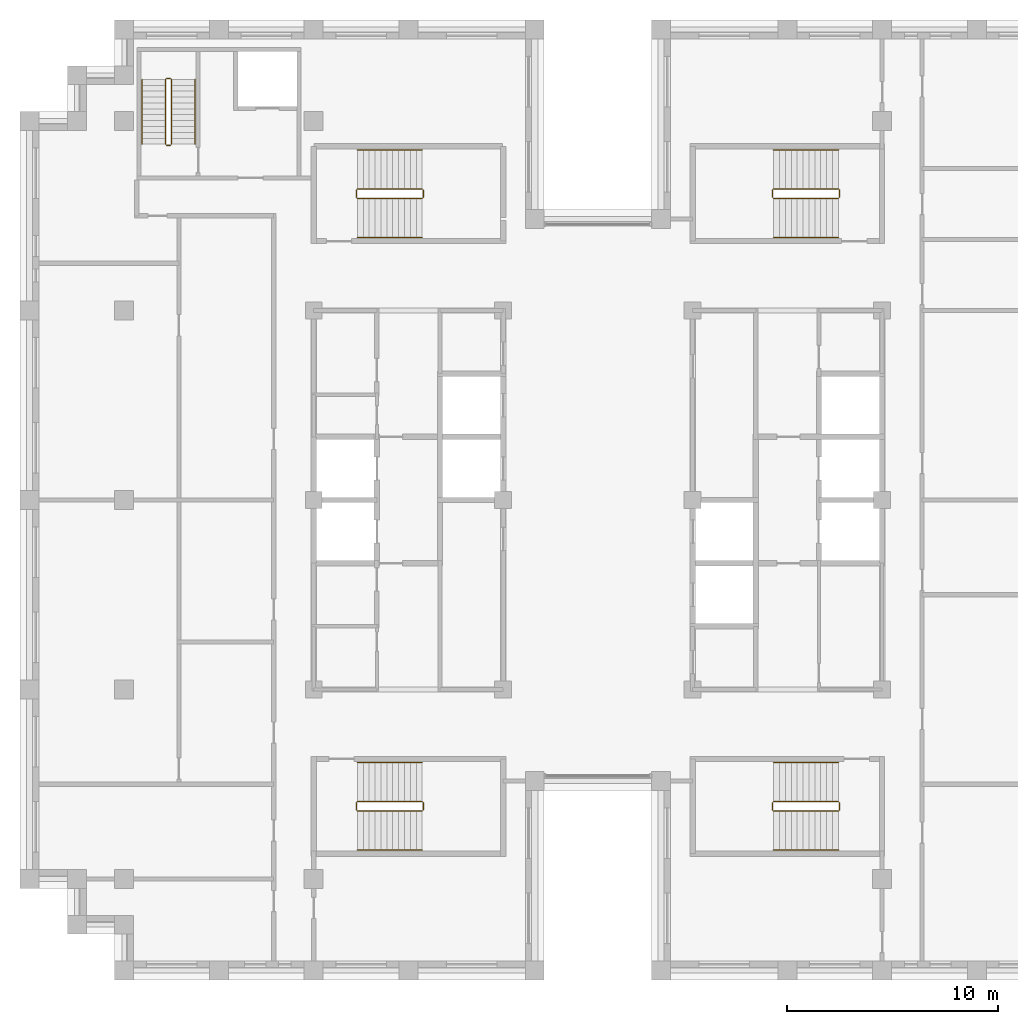
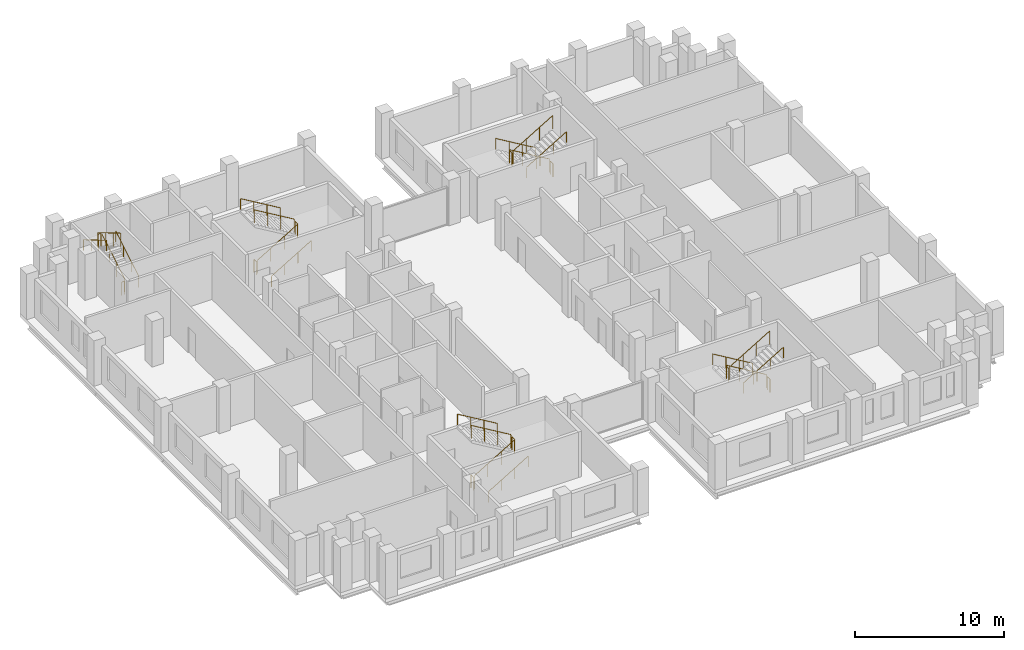
# One storey, part 13 of 13: 5 railings.
"""IFC4 building model written with IfcOpenShell, lengths in metres."""

from ifc_helpers import new_model, si_unit, direction, frame, origin, origin_2d, place, context, subcontext, project, spatial, circle, extrude, material, type_object, element, save


model = new_model("IFC4")

# Units and contexts
model_context = context("Model", 3, precision=1e-05, world=origin(), true_north=direction((0.0, 1.0)))
body_context = subcontext(model_context, "Body", "Model", "MODEL_VIEW")
ifc_project = project(units=[si_unit("LENGTHUNIT", "METRE"), si_unit("AREAUNIT", "SQUARE_METRE"), si_unit("VOLUMEUNIT", "CUBIC_METRE"), si_unit("PLANEANGLEUNIT", "RADIAN"), si_unit("MASSUNIT", "GRAM", prefix="KILO")], contexts=[model_context])

# Site, building, storey
site_placement = place(None, origin())
site = spatial("IfcSite", under=ifc_project, at=site_placement, CompositionType="ELEMENT")
building_placement = place(site_placement, origin())
building = spatial("IfcBuilding", under=site, at=building_placement, Name="Corbelhall Arena Tower", CompositionType="ELEMENT")
storey_placement = place(building_placement, frame((0.0, 0.0, 262.0)))
storey = spatial("IfcBuildingStorey", under=building, at=storey_placement, Name="L56", CompositionType="ELEMENT", Elevation=262.0)

# Railings
ifc_material = material(Name="Steel ASTM A500 Gr C", Category="steel")
railing_type = type_object("IfcRailingType", Name="IN-GD-1100", PredefinedType="GUARDRAIL", material=ifc_material)
railing_1_placement = place(storey_placement, frame((-11.425048828125, 14.324951171875, 0.166748046875)))
element("IfcRailing", 1, at=railing_1_placement, inside=storey, type_object=railing_type, Name="L56 ST1 stair guards and handrails", PredefinedType="GUARDRAIL", context=body_context, shape_type="SweptSolid", body=[
    extrude(circle(Radius=0.02392578125, at=origin_2d()), frame((0.0, 0.0, 1.076171875), z_axis=(0.859308565015, 0.0, 0.511457515432), x_axis=(0.0, 1.0, 0.0)), (0.0, 0.0, 1.0), 3.58447265625),
    extrude(circle(Radius=0.02392578125, at=origin_2d()), frame((3.130126953125, 0.050048828125, 2.9091796875), z_axis=(0.0, 1.0, 0.0), x_axis=(-1.0, 0.0, 0.0)), (0.0, 0.0, 1.0), 0.35009765625),
    extrude(circle(Radius=0.02392578125, at=origin_2d()), frame((3.080078125, 0.449951171875, 3.076171875), z_axis=(-0.859308565015, 0.0, 0.511457515432), x_axis=(0.0, -1.0, 0.0)), (0.0, 0.0, 1.0), 3.58447265625),
    extrude(circle(Radius=0.02392578125, at=origin_2d()), frame((-0.050048828125, 0.050048828125, 0.9091796875), z_axis=(0.0, 1.0, 0.0), x_axis=(-1.0, 0.0, 0.0)), (0.0, 0.0, 1.0), 0.35009765625),
    extrude(circle(Radius=0.02392578125, at=origin_2d()), frame((0.0, -1.849853515625, 0.8759765625), z_axis=(0.859308565015, 0.0, 0.511457515432), x_axis=(0.0, 1.0, 0.0)), (0.0, 0.0, 1.0), 3.58447265625),
    extrude(circle(Radius=0.02392578125, at=origin_2d()), frame((3.080078125, 2.300048828125, 2.8759765625), z_axis=(-0.859308565015, 0.0, 0.511457515432), x_axis=(0.0, -1.0, 0.0)), (0.0, 0.0, 1.0), 3.58447265625),
    extrude(circle(Radius=0.02099609375, at=origin_2d()), origin(), (0.0, 0.0, 1.0), 1.052001953125),
    extrude(circle(Radius=0.02099609375, at=origin_2d()), frame((1.026611328125, 0.0, 0.611083984375)), (0.0, 0.0, 1.0), 1.052001953125),
    extrude(circle(Radius=0.02099609375, at=origin_2d()), frame((2.053466796875, 0.0, 1.22216796875)), (0.0, 0.0, 1.0), 1.052001953125),
    extrude(circle(Radius=0.02099609375, at=origin_2d()), frame((3.080078125, 0.0, 1.833251953125)), (0.0, 0.0, 1.0), 1.052001953125),
    extrude(circle(Radius=0.02099609375, at=origin_2d()), frame((3.130126953125, 0.050048828125, 1.833251953125)), (0.0, 0.0, 1.0), 1.052001953125),
    extrude(circle(Radius=0.02099609375, at=origin_2d()), frame((3.130126953125, 0.400146484375, 1.833251953125)), (0.0, 0.0, 1.0), 1.052001953125),
    extrude(circle(Radius=0.02099609375, at=origin_2d()), frame((3.080078125, 0.449951171875, 2.0)), (0.0, 0.0, 1.0), 1.052001953125),
    extrude(circle(Radius=0.02099609375, at=origin_2d()), frame((2.053466796875, 0.449951171875, 2.611083984375)), (0.0, 0.0, 1.0), 1.052001953125),
    extrude(circle(Radius=0.02099609375, at=origin_2d()), frame((1.026611328125, 0.449951171875, 3.22216796875)), (0.0, 0.0, 1.0), 1.052001953125),
    extrude(circle(Radius=0.02099609375, at=origin_2d()), frame((0.0, 0.449951171875, 3.833251953125)), (0.0, 0.0, 1.0), 1.052001953125),
    extrude(circle(Radius=0.02099609375, at=origin_2d()), frame((-0.050048828125, 0.050048828125, -0.166748046875)), (0.0, 0.0, 1.0), 1.052001953125),
    extrude(circle(Radius=0.02099609375, at=origin_2d()), frame((-0.050048828125, 0.400146484375, -0.166748046875)), (0.0, 0.0, 1.0), 1.052001953125),
    extrude(circle(Radius=0.02099609375, at=origin_2d()), frame((0.0, -1.849853515625, 0.0)), (0.0, 0.0, 1.0), 0.851806640625),
    extrude(circle(Radius=0.02099609375, at=origin_2d()), frame((1.026611328125, -1.849853515625, 0.611083984375)), (0.0, 0.0, 1.0), 0.851806640625),
    extrude(circle(Radius=0.02099609375, at=origin_2d()), frame((2.053466796875, -1.849853515625, 1.22216796875)), (0.0, 0.0, 1.0), 0.851806640625),
    extrude(circle(Radius=0.02099609375, at=origin_2d()), frame((3.080078125, -1.849853515625, 1.833251953125)), (0.0, 0.0, 1.0), 0.851806640625),
    extrude(circle(Radius=0.02099609375, at=origin_2d()), frame((3.080078125, 2.300048828125, 2.0)), (0.0, 0.0, 1.0), 0.851806640625),
    extrude(circle(Radius=0.02099609375, at=origin_2d()), frame((2.053466796875, 2.300048828125, 2.611083984375)), (0.0, 0.0, 1.0), 0.851806640625),
    extrude(circle(Radius=0.02099609375, at=origin_2d()), frame((1.026611328125, 2.300048828125, 3.22216796875)), (0.0, 0.0, 1.0), 0.851806640625),
    extrude(circle(Radius=0.02099609375, at=origin_2d()), frame((0.0, 2.300048828125, 3.833251953125)), (0.0, 0.0, 1.0), 0.851806640625),
])
railing_2_placement = place(storey_placement, frame((-11.425048828125, -14.77490234375, 0.166748046875)))
element("IfcRailing", 2, at=railing_2_placement, inside=storey, type_object=railing_type, Name="L56 ST2 stair guards and handrails", PredefinedType="GUARDRAIL", context=body_context, shape_type="SweptSolid", body=[
    extrude(circle(Radius=0.02392578125, at=origin_2d()), frame((0.0, 0.0, 1.076171875), z_axis=(0.859308565015, 0.0, 0.511457515432), x_axis=(0.0, 1.0, 0.0)), (0.0, 0.0, 1.0), 3.58447265625),
    extrude(circle(Radius=0.02392578125, at=origin_2d()), frame((3.130126953125, 0.0498046875, 2.9091796875), z_axis=(0.0, 1.0, 0.0), x_axis=(-1.0, 0.0, 0.0)), (0.0, 0.0, 1.0), 0.35009765625),
    extrude(circle(Radius=0.02392578125, at=origin_2d()), frame((3.080078125, 0.449951171875, 3.076171875), z_axis=(-0.859308565015, 0.0, 0.511457515432), x_axis=(0.0, -1.0, 0.0)), (0.0, 0.0, 1.0), 3.58447265625),
    extrude(circle(Radius=0.02392578125, at=origin_2d()), frame((-0.050048828125, 0.0498046875, 0.9091796875), z_axis=(0.0, 1.0, 0.0), x_axis=(-1.0, 0.0, 0.0)), (0.0, 0.0, 1.0), 0.35009765625),
    extrude(circle(Radius=0.02392578125, at=origin_2d()), frame((0.0, -1.85009765625, 0.8759765625), z_axis=(0.859308565015, 0.0, 0.511457515432), x_axis=(0.0, 1.0, 0.0)), (0.0, 0.0, 1.0), 3.58447265625),
    extrude(circle(Radius=0.02392578125, at=origin_2d()), frame((3.080078125, 2.2998046875, 2.8759765625), z_axis=(-0.859308565015, 0.0, 0.511457515432), x_axis=(0.0, -1.0, 0.0)), (0.0, 0.0, 1.0), 3.58447265625),
    extrude(circle(Radius=0.02099609375, at=origin_2d()), origin(), (0.0, 0.0, 1.0), 1.052001953125),
    extrude(circle(Radius=0.02099609375, at=origin_2d()), frame((1.026611328125, 0.0, 0.611083984375)), (0.0, 0.0, 1.0), 1.052001953125),
    extrude(circle(Radius=0.02099609375, at=origin_2d()), frame((2.053466796875, 0.0, 1.22216796875)), (0.0, 0.0, 1.0), 1.052001953125),
    extrude(circle(Radius=0.02099609375, at=origin_2d()), frame((3.080078125, 0.0, 1.833251953125)), (0.0, 0.0, 1.0), 1.052001953125),
    extrude(circle(Radius=0.02099609375, at=origin_2d()), frame((3.130126953125, 0.0498046875, 1.833251953125)), (0.0, 0.0, 1.0), 1.052001953125),
    extrude(circle(Radius=0.02099609375, at=origin_2d()), frame((3.130126953125, 0.39990234375, 1.833251953125)), (0.0, 0.0, 1.0), 1.052001953125),
    extrude(circle(Radius=0.02099609375, at=origin_2d()), frame((3.080078125, 0.449951171875, 2.0)), (0.0, 0.0, 1.0), 1.052001953125),
    extrude(circle(Radius=0.02099609375, at=origin_2d()), frame((2.053466796875, 0.449951171875, 2.611083984375)), (0.0, 0.0, 1.0), 1.052001953125),
    extrude(circle(Radius=0.02099609375, at=origin_2d()), frame((1.026611328125, 0.449951171875, 3.22216796875)), (0.0, 0.0, 1.0), 1.052001953125),
    extrude(circle(Radius=0.02099609375, at=origin_2d()), frame((0.0, 0.449951171875, 3.833251953125)), (0.0, 0.0, 1.0), 1.052001953125),
    extrude(circle(Radius=0.02099609375, at=origin_2d()), frame((-0.050048828125, 0.0498046875, -0.166748046875)), (0.0, 0.0, 1.0), 1.052001953125),
    extrude(circle(Radius=0.02099609375, at=origin_2d()), frame((-0.050048828125, 0.39990234375, -0.166748046875)), (0.0, 0.0, 1.0), 1.052001953125),
    extrude(circle(Radius=0.02099609375, at=origin_2d()), frame((0.0, -1.85009765625, 0.0)), (0.0, 0.0, 1.0), 0.851806640625),
    extrude(circle(Radius=0.02099609375, at=origin_2d()), frame((1.026611328125, -1.85009765625, 0.611083984375)), (0.0, 0.0, 1.0), 0.851806640625),
    extrude(circle(Radius=0.02099609375, at=origin_2d()), frame((2.053466796875, -1.85009765625, 1.22216796875)), (0.0, 0.0, 1.0), 0.851806640625),
    extrude(circle(Radius=0.02099609375, at=origin_2d()), frame((3.080078125, -1.85009765625, 1.833251953125)), (0.0, 0.0, 1.0), 0.851806640625),
    extrude(circle(Radius=0.02099609375, at=origin_2d()), frame((3.080078125, 2.2998046875, 2.0)), (0.0, 0.0, 1.0), 0.851806640625),
    extrude(circle(Radius=0.02099609375, at=origin_2d()), frame((2.053466796875, 2.2998046875, 2.611083984375)), (0.0, 0.0, 1.0), 0.851806640625),
    extrude(circle(Radius=0.02099609375, at=origin_2d()), frame((1.026611328125, 2.2998046875, 3.22216796875)), (0.0, 0.0, 1.0), 0.851806640625),
    extrude(circle(Radius=0.02099609375, at=origin_2d()), frame((0.0, 2.2998046875, 3.833251953125)), (0.0, 0.0, 1.0), 0.851806640625),
])
railing_3_placement = place(storey_placement, frame((11.425048828125, 14.77490234375, 0.166748046875)))
element("IfcRailing", 3, at=railing_3_placement, inside=storey, type_object=railing_type, Name="L56 ST3 stair guards and handrails", PredefinedType="GUARDRAIL", context=body_context, shape_type="SweptSolid", body=[
    extrude(circle(Radius=0.02392578125, at=origin_2d()), frame((0.0, 0.0, 1.076171875), z_axis=(-0.859308565015, 0.0, 0.511457515432), x_axis=(0.0, -1.0, 0.0)), (0.0, 0.0, 1.0), 3.58447265625),
    extrude(circle(Radius=0.02392578125, at=origin_2d()), frame((-3.130126953125, -0.0498046875, 2.9091796875), z_axis=(0.0, -1.0, 0.0), x_axis=(1.0, 0.0, 0.0)), (0.0, 0.0, 1.0), 0.35009765625),
    extrude(circle(Radius=0.02392578125, at=origin_2d()), frame((-3.080078125, -0.449951171875, 3.076171875), z_axis=(0.859308565015, 0.0, 0.511457515432), x_axis=(0.0, 1.0, 0.0)), (0.0, 0.0, 1.0), 3.58447265625),
    extrude(circle(Radius=0.02392578125, at=origin_2d()), frame((0.050048828125, -0.0498046875, 0.9091796875), z_axis=(0.0, -1.0, 0.0), x_axis=(1.0, 0.0, 0.0)), (0.0, 0.0, 1.0), 0.35009765625),
    extrude(circle(Radius=0.02392578125, at=origin_2d()), frame((0.0, 1.85009765625, 0.8759765625), z_axis=(-0.859308565015, 0.0, 0.511457515432), x_axis=(0.0, -1.0, 0.0)), (0.0, 0.0, 1.0), 3.58447265625),
    extrude(circle(Radius=0.02392578125, at=origin_2d()), frame((-3.080078125, -2.2998046875, 2.8759765625), z_axis=(0.859308565015, 0.0, 0.511457515432), x_axis=(0.0, 1.0, 0.0)), (0.0, 0.0, 1.0), 3.58447265625),
    extrude(circle(Radius=0.02099609375, at=origin_2d()), origin(), (0.0, 0.0, 1.0), 1.052001953125),
    extrude(circle(Radius=0.02099609375, at=origin_2d()), frame((-1.026611328125, 0.0, 0.611083984375)), (0.0, 0.0, 1.0), 1.052001953125),
    extrude(circle(Radius=0.02099609375, at=origin_2d()), frame((-2.053466796875, 0.0, 1.22216796875)), (0.0, 0.0, 1.0), 1.052001953125),
    extrude(circle(Radius=0.02099609375, at=origin_2d()), frame((-3.080078125, 0.0, 1.833251953125)), (0.0, 0.0, 1.0), 1.052001953125),
    extrude(circle(Radius=0.02099609375, at=origin_2d()), frame((-3.130126953125, -0.0498046875, 1.833251953125)), (0.0, 0.0, 1.0), 1.052001953125),
    extrude(circle(Radius=0.02099609375, at=origin_2d()), frame((-3.130126953125, -0.39990234375, 1.833251953125)), (0.0, 0.0, 1.0), 1.052001953125),
    extrude(circle(Radius=0.02099609375, at=origin_2d()), frame((-3.080078125, -0.449951171875, 2.0)), (0.0, 0.0, 1.0), 1.052001953125),
    extrude(circle(Radius=0.02099609375, at=origin_2d()), frame((-2.053466796875, -0.449951171875, 2.611083984375)), (0.0, 0.0, 1.0), 1.052001953125),
    extrude(circle(Radius=0.02099609375, at=origin_2d()), frame((-1.026611328125, -0.449951171875, 3.22216796875)), (0.0, 0.0, 1.0), 1.052001953125),
    extrude(circle(Radius=0.02099609375, at=origin_2d()), frame((0.0, -0.449951171875, 3.833251953125)), (0.0, 0.0, 1.0), 1.052001953125),
    extrude(circle(Radius=0.02099609375, at=origin_2d()), frame((0.050048828125, -0.0498046875, -0.166748046875)), (0.0, 0.0, 1.0), 1.052001953125),
    extrude(circle(Radius=0.02099609375, at=origin_2d()), frame((0.050048828125, -0.39990234375, -0.166748046875)), (0.0, 0.0, 1.0), 1.052001953125),
    extrude(circle(Radius=0.02099609375, at=origin_2d()), frame((0.0, 1.85009765625, 0.0)), (0.0, 0.0, 1.0), 0.851806640625),
    extrude(circle(Radius=0.02099609375, at=origin_2d()), frame((-1.026611328125, 1.85009765625, 0.611083984375)), (0.0, 0.0, 1.0), 0.851806640625),
    extrude(circle(Radius=0.02099609375, at=origin_2d()), frame((-2.053466796875, 1.85009765625, 1.22216796875)), (0.0, 0.0, 1.0), 0.851806640625),
    extrude(circle(Radius=0.02099609375, at=origin_2d()), frame((-3.080078125, 1.85009765625, 1.833251953125)), (0.0, 0.0, 1.0), 0.851806640625),
    extrude(circle(Radius=0.02099609375, at=origin_2d()), frame((-3.080078125, -2.2998046875, 2.0)), (0.0, 0.0, 1.0), 0.851806640625),
    extrude(circle(Radius=0.02099609375, at=origin_2d()), frame((-2.053466796875, -2.2998046875, 2.611083984375)), (0.0, 0.0, 1.0), 0.851806640625),
    extrude(circle(Radius=0.02099609375, at=origin_2d()), frame((-1.026611328125, -2.2998046875, 3.22216796875)), (0.0, 0.0, 1.0), 0.851806640625),
    extrude(circle(Radius=0.02099609375, at=origin_2d()), frame((0.0, -2.2998046875, 3.833251953125)), (0.0, 0.0, 1.0), 0.851806640625),
])
railing_4_placement = place(storey_placement, frame((11.425048828125, -14.324951171875, 0.166748046875)))
element("IfcRailing", 4, at=railing_4_placement, inside=storey, type_object=railing_type, Name="L56 ST4 stair guards and handrails", PredefinedType="GUARDRAIL", context=body_context, shape_type="SweptSolid", body=[
    extrude(circle(Radius=0.02392578125, at=origin_2d()), frame((0.0, 0.0, 1.076171875), z_axis=(-0.859308565015, 0.0, 0.511457515432), x_axis=(0.0, -1.0, 0.0)), (0.0, 0.0, 1.0), 3.58447265625),
    extrude(circle(Radius=0.02392578125, at=origin_2d()), frame((-3.130126953125, -0.050048828125, 2.9091796875), z_axis=(0.0, -1.0, 0.0), x_axis=(1.0, 0.0, 0.0)), (0.0, 0.0, 1.0), 0.35009765625),
    extrude(circle(Radius=0.02392578125, at=origin_2d()), frame((-3.080078125, -0.449951171875, 3.076171875), z_axis=(0.859308565015, 0.0, 0.511457515432), x_axis=(0.0, 1.0, 0.0)), (0.0, 0.0, 1.0), 3.58447265625),
    extrude(circle(Radius=0.02392578125, at=origin_2d()), frame((0.050048828125, -0.050048828125, 0.9091796875), z_axis=(0.0, -1.0, 0.0), x_axis=(1.0, 0.0, 0.0)), (0.0, 0.0, 1.0), 0.35009765625),
    extrude(circle(Radius=0.02392578125, at=origin_2d()), frame((0.0, 1.849853515625, 0.8759765625), z_axis=(-0.859308565015, 0.0, 0.511457515432), x_axis=(0.0, -1.0, 0.0)), (0.0, 0.0, 1.0), 3.58447265625),
    extrude(circle(Radius=0.02392578125, at=origin_2d()), frame((-3.080078125, -2.300048828125, 2.8759765625), z_axis=(0.859308565015, 0.0, 0.511457515432), x_axis=(0.0, 1.0, 0.0)), (0.0, 0.0, 1.0), 3.58447265625),
    extrude(circle(Radius=0.02099609375, at=origin_2d()), origin(), (0.0, 0.0, 1.0), 1.052001953125),
    extrude(circle(Radius=0.02099609375, at=origin_2d()), frame((-1.026611328125, 0.0, 0.611083984375)), (0.0, 0.0, 1.0), 1.052001953125),
    extrude(circle(Radius=0.02099609375, at=origin_2d()), frame((-2.053466796875, 0.0, 1.22216796875)), (0.0, 0.0, 1.0), 1.052001953125),
    extrude(circle(Radius=0.02099609375, at=origin_2d()), frame((-3.080078125, 0.0, 1.833251953125)), (0.0, 0.0, 1.0), 1.052001953125),
    extrude(circle(Radius=0.02099609375, at=origin_2d()), frame((-3.130126953125, -0.050048828125, 1.833251953125)), (0.0, 0.0, 1.0), 1.052001953125),
    extrude(circle(Radius=0.02099609375, at=origin_2d()), frame((-3.130126953125, -0.400146484375, 1.833251953125)), (0.0, 0.0, 1.0), 1.052001953125),
    extrude(circle(Radius=0.02099609375, at=origin_2d()), frame((-3.080078125, -0.449951171875, 2.0)), (0.0, 0.0, 1.0), 1.052001953125),
    extrude(circle(Radius=0.02099609375, at=origin_2d()), frame((-2.053466796875, -0.449951171875, 2.611083984375)), (0.0, 0.0, 1.0), 1.052001953125),
    extrude(circle(Radius=0.02099609375, at=origin_2d()), frame((-1.026611328125, -0.449951171875, 3.22216796875)), (0.0, 0.0, 1.0), 1.052001953125),
    extrude(circle(Radius=0.02099609375, at=origin_2d()), frame((0.0, -0.449951171875, 3.833251953125)), (0.0, 0.0, 1.0), 1.052001953125),
    extrude(circle(Radius=0.02099609375, at=origin_2d()), frame((0.050048828125, -0.050048828125, -0.166748046875)), (0.0, 0.0, 1.0), 1.052001953125),
    extrude(circle(Radius=0.02099609375, at=origin_2d()), frame((0.050048828125, -0.400146484375, -0.166748046875)), (0.0, 0.0, 1.0), 1.052001953125),
    extrude(circle(Radius=0.02099609375, at=origin_2d()), frame((0.0, 1.849853515625, 0.0)), (0.0, 0.0, 1.0), 0.851806640625),
    extrude(circle(Radius=0.02099609375, at=origin_2d()), frame((-1.026611328125, 1.849853515625, 0.611083984375)), (0.0, 0.0, 1.0), 0.851806640625),
    extrude(circle(Radius=0.02099609375, at=origin_2d()), frame((-2.053466796875, 1.849853515625, 1.22216796875)), (0.0, 0.0, 1.0), 0.851806640625),
    extrude(circle(Radius=0.02099609375, at=origin_2d()), frame((-3.080078125, 1.849853515625, 1.833251953125)), (0.0, 0.0, 1.0), 0.851806640625),
    extrude(circle(Radius=0.02099609375, at=origin_2d()), frame((-3.080078125, -2.300048828125, 2.0)), (0.0, 0.0, 1.0), 0.851806640625),
    extrude(circle(Radius=0.02099609375, at=origin_2d()), frame((-2.053466796875, -2.300048828125, 2.611083984375)), (0.0, 0.0, 1.0), 0.851806640625),
    extrude(circle(Radius=0.02099609375, at=origin_2d()), frame((-1.026611328125, -2.300048828125, 3.22216796875)), (0.0, 0.0, 1.0), 0.851806640625),
    extrude(circle(Radius=0.02099609375, at=origin_2d()), frame((0.0, -2.300048828125, 3.833251953125)), (0.0, 0.0, 1.0), 0.851806640625),
])
railing_5_placement = place(storey_placement, frame((-20.2451171875, 16.89990234375, 0.166748046875)))
element("IfcRailing", 5, at=railing_5_placement, inside=storey, type_object=railing_type, Name="L56 ST5 stair guards and handrails", PredefinedType="GUARDRAIL", context=body_context, shape_type="SweptSolid", body=[
    extrude(circle(Radius=0.02392578125, at=origin_2d()), frame((0.0, 0.0, 1.076171875), z_axis=(0.0, 0.859308565015, 0.511457515432), x_axis=(-1.0, 0.0, 0.0)), (0.0, 0.0, 1.0), 3.58447265625),
    extrude(circle(Radius=0.02392578125, at=origin_2d()), frame((-0.0498046875, 3.130126953125, 2.9091796875), z_axis=(-1.0, 0.0, 0.0), x_axis=(0.0, -1.0, 0.0)), (0.0, 0.0, 1.0), 0.2001953125),
    extrude(circle(Radius=0.02392578125, at=origin_2d()), frame((-0.2998046875, 3.080078125, 3.076171875), z_axis=(0.0, -0.859308565015, 0.511457515432), x_axis=(1.0, 0.0, 0.0)), (0.0, 0.0, 1.0), 3.58447265625),
    extrude(circle(Radius=0.02392578125, at=origin_2d()), frame((-0.0498046875, -0.0498046875, 0.9091796875), z_axis=(-1.0, 0.0, 0.0), x_axis=(0.0, -1.0, 0.0)), (0.0, 0.0, 1.0), 0.2001953125),
    extrude(circle(Radius=0.02392578125, at=origin_2d()), frame((1.10009765625, 0.0, 0.8759765625), z_axis=(0.0, 0.859308565015, 0.511457515432), x_axis=(-1.0, 0.0, 0.0)), (0.0, 0.0, 1.0), 3.58447265625),
    extrude(circle(Radius=0.02392578125, at=origin_2d()), frame((-1.39990234375, 3.080078125, 2.8759765625), z_axis=(0.0, -0.859308565015, 0.511457515432), x_axis=(1.0, 0.0, 0.0)), (0.0, 0.0, 1.0), 3.58447265625),
    extrude(circle(Radius=0.02099609375, at=origin_2d()), origin(), (0.0, 0.0, 1.0), 1.052001953125),
    extrude(circle(Radius=0.02099609375, at=origin_2d()), frame((0.0, 1.026611328125, 0.611083984375)), (0.0, 0.0, 1.0), 1.052001953125),
    extrude(circle(Radius=0.02099609375, at=origin_2d()), frame((0.0, 2.053466796875, 1.22216796875)), (0.0, 0.0, 1.0), 1.052001953125),
    extrude(circle(Radius=0.02099609375, at=origin_2d()), frame((0.0, 3.080078125, 1.833251953125)), (0.0, 0.0, 1.0), 1.052001953125),
    extrude(circle(Radius=0.02099609375, at=origin_2d()), frame((-0.0498046875, 3.130126953125, 1.833251953125)), (0.0, 0.0, 1.0), 1.052001953125),
    extrude(circle(Radius=0.02099609375, at=origin_2d()), frame((-0.25, 3.130126953125, 1.833251953125)), (0.0, 0.0, 1.0), 1.052001953125),
    extrude(circle(Radius=0.02099609375, at=origin_2d()), frame((-0.2998046875, 3.080078125, 2.0)), (0.0, 0.0, 1.0), 1.052001953125),
    extrude(circle(Radius=0.02099609375, at=origin_2d()), frame((-0.2998046875, 2.053466796875, 2.611083984375)), (0.0, 0.0, 1.0), 1.052001953125),
    extrude(circle(Radius=0.02099609375, at=origin_2d()), frame((-0.2998046875, 1.026611328125, 3.22216796875)), (0.0, 0.0, 1.0), 1.052001953125),
    extrude(circle(Radius=0.02099609375, at=origin_2d()), frame((-0.2998046875, 0.0, 3.833251953125)), (0.0, 0.0, 1.0), 1.052001953125),
    extrude(circle(Radius=0.02099609375, at=origin_2d()), frame((-0.0498046875, -0.0498046875, -0.166748046875)), (0.0, 0.0, 1.0), 1.052001953125),
    extrude(circle(Radius=0.02099609375, at=origin_2d()), frame((-0.25, -0.0498046875, -0.166748046875)), (0.0, 0.0, 1.0), 1.052001953125),
    extrude(circle(Radius=0.02099609375, at=origin_2d()), frame((1.10009765625, 0.0, 0.0)), (0.0, 0.0, 1.0), 0.851806640625),
    extrude(circle(Radius=0.02099609375, at=origin_2d()), frame((1.10009765625, 1.026611328125, 0.611083984375)), (0.0, 0.0, 1.0), 0.851806640625),
    extrude(circle(Radius=0.02099609375, at=origin_2d()), frame((1.10009765625, 2.053466796875, 1.22216796875)), (0.0, 0.0, 1.0), 0.851806640625),
    extrude(circle(Radius=0.02099609375, at=origin_2d()), frame((1.10009765625, 3.080078125, 1.833251953125)), (0.0, 0.0, 1.0), 0.851806640625),
    extrude(circle(Radius=0.02099609375, at=origin_2d()), frame((-1.39990234375, 3.080078125, 2.0)), (0.0, 0.0, 1.0), 0.851806640625),
    extrude(circle(Radius=0.02099609375, at=origin_2d()), frame((-1.39990234375, 2.053466796875, 2.611083984375)), (0.0, 0.0, 1.0), 0.851806640625),
    extrude(circle(Radius=0.02099609375, at=origin_2d()), frame((-1.39990234375, 1.026611328125, 3.22216796875)), (0.0, 0.0, 1.0), 0.851806640625),
    extrude(circle(Radius=0.02099609375, at=origin_2d()), frame((-1.39990234375, 0.0, 3.833251953125)), (0.0, 0.0, 1.0), 0.851806640625),
])

save(model, "model.ifc")
